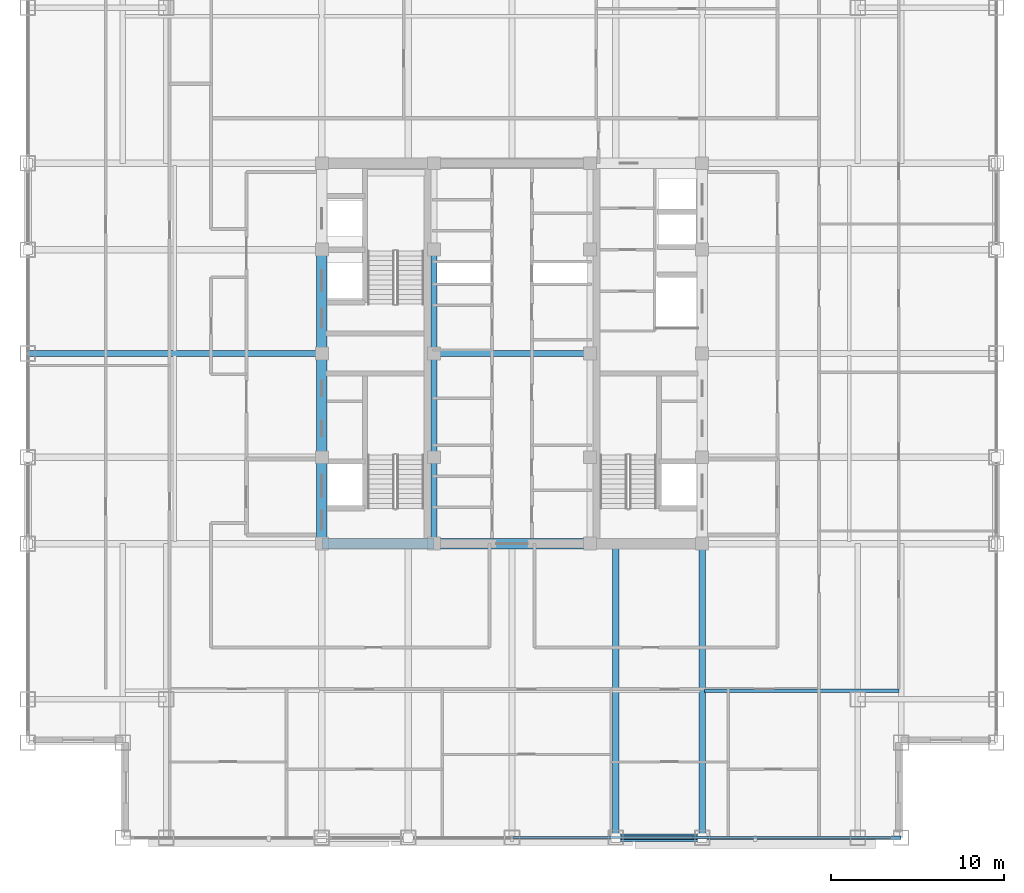
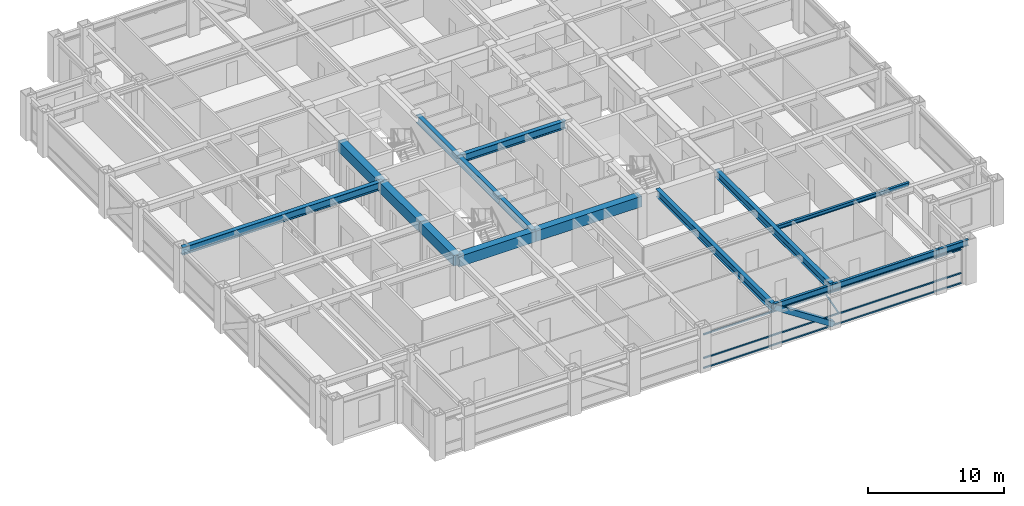
# One storey, part 7 of 27: 16 beams, 5 members, 1 element without a shape of its own.
"""IFC4 building model written with IfcOpenShell, lengths in metres."""

from ifc_helpers import new_model, si_unit, direction, frame, origin, origin_2d, place, context, subcontext, project, spatial, rectangle, hollow_rectangle, i_section, extrude, source, transform, mapped, material, material_profile, profile_set, type_object, element, aggregate, save


model = new_model("IFC4")

# Units and contexts
model_context = context("Model", 3, precision=1e-05, world=origin(), true_north=direction((0.0, 1.0)))
body_context = subcontext(model_context, "Body", "Model", "MODEL_VIEW")
ifc_project = project(units=[si_unit("LENGTHUNIT", "METRE"), si_unit("AREAUNIT", "SQUARE_METRE"), si_unit("VOLUMEUNIT", "CUBIC_METRE"), si_unit("PLANEANGLEUNIT", "RADIAN"), si_unit("MASSUNIT", "GRAM", prefix="KILO")], contexts=[model_context])

# Site, building, storey
site_placement = place(None, origin())
site = spatial("IfcSite", under=ifc_project, at=site_placement, CompositionType="ELEMENT")
building_placement = place(site_placement, origin())
building = spatial("IfcBuilding", under=site, at=building_placement, Name="Khorayat Bourse Tower", CompositionType="ELEMENT")
storey_placement = place(building_placement, frame((0.0, 0.0, 285.5)))
storey = spatial("IfcBuildingStorey", under=building, at=storey_placement, Name="L67", CompositionType="ELEMENT", Elevation=285.5)

# Beams
ifc_material_1 = material(Name="Steel ASTM A992 Grade 50", Category="steel")
ifc_material_profile_1 = material_profile(ifc_material_1, i_section(OverallWidth=0.35498046875, OverallDepth=0.695068359375, WebThickness=0.015380859375, FlangeThickness=0.02490234375, FilletRadius=0.01806640625, at=origin_2d()), Name="W690X217")
ifc_profile_set_1 = profile_set([ifc_material_profile_1], Name="Steel ASTM A992 Grade 50")
beam_type_1 = type_object("IfcBeamType", Name="BM-GIRD-690", PredefinedType="BEAM", material=ifc_profile_set_1)
shared_shape_1 = source(origin(), body_context, "Body", "SweptSolid", [
    extrude(i_section(OverallWidth=0.35498046875, OverallDepth=0.695068359375, WebThickness=0.015380859375, FlangeThickness=0.02490234375, FilletRadius=0.01806640625, at=origin_2d()), origin(), (0.0, 0.0, 1.0), 5.0),
])
beam_1_placement = place(storey_placement, frame((-4.5, -11.0, 3.4326171875), z_axis=(0.0, 1.0, 0.0), x_axis=(-1.0, 0.0, 0.0)))
element("IfcBeam", 1, at=beam_1_placement, inside=storey, type_object=beam_type_1, Name="L67 BM-GIRD-690 BM-L67-CRX-05", PredefinedType="BEAM", context=body_context, shape_type="MappedRepresentation", body=[
    mapped(shared_shape_1, transform((0.0, 0.0, 0.0), scale=1.0)),
])
shared_shape_2 = source(origin(), body_context, "Body", "SweptSolid", [
    extrude(i_section(OverallWidth=0.35498046875, OverallDepth=0.695068359375, WebThickness=0.015380859375, FlangeThickness=0.02490234375, FilletRadius=0.01806640625, at=origin_2d()), origin(), (0.0, 0.0, 1.0), 6.0),
])
for number, where, z_axis, x_axis, name in (
    (2, (-4.5, -6.0, 3.4326171875), (0.0, 1.0, 0.0), (-1.0, 0.0, 0.0), "L67 BM-GIRD-690 BM-L67-CRX-06"),
    (3, (-4.5, 0.0, 3.4326171875), (0.0, 1.0, 0.0), (-1.0, 0.0, 0.0), "L67 BM-GIRD-690 BM-L67-CRX-07"),
):
    element("IfcBeam", number, at=place(storey_placement, frame(where, z_axis=z_axis, x_axis=x_axis)), inside=storey, type_object=beam_type_1, Name=name, PredefinedType="BEAM", context=body_context, shape_type="MappedRepresentation", body=[
        mapped(shared_shape_2, transform((0.0, 0.0, 0.0), scale=1.0)),
    ])
shared_shape_3 = source(origin(), body_context, "Body", "SweptSolid", [
    extrude(i_section(OverallWidth=0.35498046875, OverallDepth=0.695068359375, WebThickness=0.015380859375, FlangeThickness=0.02490234375, FilletRadius=0.01806640625, at=origin_2d()), origin(), (0.0, 0.0, 1.0), 9.0),
])
beam_2_placement = place(storey_placement, frame((-4.5, 0.0, 3.4326171875), z_axis=(1.0, 0.0, 0.0), x_axis=(0.0, 1.0, 0.0)))
element("IfcBeam", 4, at=beam_2_placement, inside=storey, type_object=beam_type_1, Name="L67 BM-GIRD-690 BM-L67-CRY-23", PredefinedType="BEAM", context=body_context, shape_type="MappedRepresentation", body=[
    mapped(shared_shape_3, transform((0.0, 0.0, 0.0), scale=1.0)),
])
ifc_material_2 = material(Name="Concrete C60/75", Category="concrete")
ifc_material_profile_2 = material_profile(ifc_material_2, rectangle(XDim=0.60009765625, YDim=0.949951171875, at=origin_2d()), Name="RC 600x950")
ifc_profile_set_2 = profile_set([ifc_material_profile_2], Name="Concrete C60/75")
beam_type_2 = type_object("IfcBeamType", Name="BM-COUP-950", PredefinedType="BEAM", material=ifc_profile_set_2)
shared_shape_4 = source(origin(), body_context, "Body", "SweptSolid", [
    extrude(rectangle(XDim=0.60009765625, YDim=0.949951171875, at=origin_2d()), origin(), (0.0, 0.0, 1.0), 5.0),
])
beam_3_placement = place(storey_placement, frame((-11.0, -11.0, 3.304931640625), z_axis=(0.0, 1.0, 0.0), x_axis=(-1.0, 0.0, 0.0)))
element("IfcBeam", 5, at=beam_3_placement, inside=storey, type_object=beam_type_2, Name="L67 BM-COUP-950 BM-L67-CRX-01", PredefinedType="BEAM", context=body_context, shape_type="MappedRepresentation", body=[
    mapped(shared_shape_4, transform((0.0, 0.0, 0.0), scale=1.0)),
])
shared_shape_5 = source(origin(), body_context, "Body", "SweptSolid", [
    extrude(rectangle(XDim=0.60009765625, YDim=0.949951171875, at=origin_2d()), origin(), (0.0, 0.0, 1.0), 6.0),
])
for number, where, z_axis, x_axis, name in (
    (6, (-11.0, -6.0, 3.304931640625), (0.0, 1.0, 0.0), (-1.0, 0.0, 0.0), "L67 BM-COUP-950 BM-L67-CRX-02"),
    (7, (-11.0, 0.0, 3.304931640625), (0.0, 1.0, 0.0), (-1.0, 0.0, 0.0), "L67 BM-COUP-950 BM-L67-CRX-03"),
):
    element("IfcBeam", number, at=place(storey_placement, frame(where, z_axis=z_axis, x_axis=x_axis)), inside=storey, type_object=beam_type_2, Name=name, PredefinedType="BEAM", context=body_context, shape_type="MappedRepresentation", body=[
        mapped(shared_shape_5, transform((0.0, 0.0, 0.0), scale=1.0)),
    ])
shared_shape_6 = source(origin(), body_context, "Body", "SweptSolid", [
    extrude(rectangle(XDim=0.60009765625, YDim=0.949951171875, at=origin_2d()), origin(), (0.0, 0.0, 1.0), 6.5),
])
beam_4_placement = place(storey_placement, frame((-11.0, -11.0, 3.304931640625), z_axis=(1.0, 0.0, 0.0), x_axis=(0.0, 1.0, 0.0)))
element("IfcBeam", 8, at=beam_4_placement, inside=storey, type_object=beam_type_2, Name="L67 BM-COUP-950 BM-L67-CRY-17", PredefinedType="BEAM", context=body_context, shape_type="MappedRepresentation", body=[
    mapped(shared_shape_6, transform((0.0, 0.0, 0.0), scale=1.0)),
])
shared_shape_7 = source(origin(), body_context, "Body", "SweptSolid", [
    extrude(rectangle(XDim=0.60009765625, YDim=0.949951171875, at=origin_2d()), origin(), (0.0, 0.0, 1.0), 9.0),
])
beam_5_placement = place(storey_placement, frame((-4.5, -11.0, 3.304931640625), z_axis=(1.0, 0.0, 0.0), x_axis=(0.0, 1.0, 0.0)))
element("IfcBeam", 9, at=beam_5_placement, inside=storey, type_object=beam_type_2, Name="L67 BM-COUP-950 BM-L67-CRY-18", PredefinedType="BEAM", context=body_context, shape_type="MappedRepresentation", body=[
    mapped(shared_shape_7, transform((0.0, 0.0, 0.0), scale=1.0)),
])

# Member
ifc_material_3 = material(Name="Steel EN 10025-4 S460M", Category="steel")
ifc_material_profile_3 = material_profile(ifc_material_3, hollow_rectangle(XDim=0.449951171875, YDim=0.449951171875, WallThickness=0.02490234375, at=origin_2d()), Name="HSS 450x450x25")
ifc_profile_set_3 = profile_set([ifc_material_profile_3], Name="Steel EN 10025-4 S460M")
member_type_1 = type_object("IfcMemberType", Name="MBR-TUBE-450", PredefinedType="BRACE", material=ifc_profile_set_3)
shared_shape_8 = source(origin(), body_context, "Body", "SweptSolid", [
    extrude(hollow_rectangle(XDim=0.449951171875, YDim=0.449951171875, WallThickness=0.02490234375, at=origin_2d()), origin(), (0.0, 0.0, 1.0), 5.979736328125),
])
member_1_placement = place(storey_placement, frame((6.0, -28.0, 3.530029296875), z_axis=(0.836141536525, 0.0, -0.548513747227), x_axis=(0.0, 1.0, 0.0)))
element("IfcMember", 10, at=member_1_placement, inside=storey, type_object=member_type_1, Name="L67 Perimeter Tube Brace 02", PredefinedType="BRACE", context=body_context, shape_type="MappedRepresentation", body=[
    mapped(shared_shape_8, transform((0.0, 0.0, 0.0), scale=1.0)),
])

# Beams
shared_shape_9 = source(origin(), body_context, "Body", "SweptSolid", [
    extrude(i_section(OverallWidth=0.35498046875, OverallDepth=0.695068359375, WebThickness=0.015380859375, FlangeThickness=0.02490234375, FilletRadius=0.01806640625, at=origin_2d()), origin(), (0.0, 0.0, 1.0), 17.0),
])
for number, where, z_axis, x_axis, name in (
    (11, (6.0, -28.0, 3.4326171875), (0.0, 1.0, 0.0), (-1.0, 0.0, 0.0), "L67 BM-GIRD-690 BM-L67-RADY-071"),
    (12, (11.0, -28.0, 3.4326171875), (0.0, 1.0, 0.0), (-1.0, 0.0, 0.0), "L67 BM-GIRD-690 BM-L67-RADY-073"),
    (13, (-28.0, 0.0, 3.4326171875), (1.0, 0.0, 0.0), (0.0, 1.0, 0.0), "L67 BM-GIRD-690 BM-L67-RADX-079"),
):
    element("IfcBeam", number, at=place(storey_placement, frame(where, z_axis=z_axis, x_axis=x_axis)), inside=storey, type_object=beam_type_1, Name=name, PredefinedType="BEAM", context=body_context, shape_type="MappedRepresentation", body=[
        mapped(shared_shape_9, transform((0.0, 0.0, 0.0), scale=1.0)),
    ])
ifc_material_profile_4 = material_profile(ifc_material_1, i_section(OverallWidth=0.202880859375, OverallDepth=0.346923828125, WebThickness=0.0078125, FlangeThickness=0.013427734375, FilletRadius=0.010009765625, at=origin_2d()), Name="W360X64")
ifc_profile_set_4 = profile_set([ifc_material_profile_4], Name="Steel ASTM A992 Grade 50")
beam_type_3 = type_object("IfcBeamType", Name="BM-JOIST-360", PredefinedType="JOIST", material=ifc_profile_set_4)
shared_shape_10 = source(origin(), body_context, "Body", "SweptSolid", [
    extrude(i_section(OverallWidth=0.202880859375, OverallDepth=0.346923828125, WebThickness=0.0078125, FlangeThickness=0.013427734375, FilletRadius=0.010009765625, at=origin_2d()), origin(), (0.0, 0.0, 1.0), 11.240234375),
])
beam_6_placement = place(storey_placement, frame((11.1298828125, -19.5, 3.6064453125), z_axis=(1.0, 0.0, 0.0), x_axis=(0.0, 1.0, 0.0)))
element("IfcBeam", 14, at=beam_6_placement, inside=storey, type_object=beam_type_3, Name="L67 BM-JOIST-360 BM-L67-JSTX-098", PredefinedType="JOIST", context=body_context, shape_type="MappedRepresentation", body=[
    mapped(shared_shape_10, transform((0.0, 0.0, 0.0), scale=1.0)),
])
ifc_material_profile_5 = material_profile(ifc_material_1, i_section(OverallWidth=0.214111328125, OverallDepth=0.549072265625, WebThickness=0.0146484375, FlangeThickness=0.023681640625, FilletRadius=0.013916015625, at=origin_2d()), Name="W530X138")
ifc_profile_set_5 = profile_set([ifc_material_profile_5], Name="Steel ASTM A992 Grade 50")
beam_type_4 = type_object("IfcBeamType", Name="BM-SPAN-530", PredefinedType="SPANDREL", material=ifc_profile_set_5)
shared_shape_11 = source(origin(), body_context, "Body", "SweptSolid", [
    extrude(i_section(OverallWidth=0.214111328125, OverallDepth=0.549072265625, WebThickness=0.0146484375, FlangeThickness=0.023681640625, FilletRadius=0.013916015625, at=origin_2d()), origin(), (0.0, 0.0, 1.0), 2.5),
])
beam_7_placement = place(storey_placement, frame((20.0, -28.0, 3.505615234375), z_axis=(1.0, 0.0, 0.0), x_axis=(0.0, 1.0, 0.0)))
element("IfcBeam", 15, at=beam_7_placement, inside=storey, type_object=beam_type_4, Name="L67 BM-SPAN-530 BM-L67-SPN-031", PredefinedType="SPANDREL", context=body_context, shape_type="MappedRepresentation", body=[
    mapped(shared_shape_11, transform((0.0, 0.0, 0.0), scale=1.0)),
])
shared_shape_12 = source(origin(), body_context, "Body", "SweptSolid", [
    extrude(i_section(OverallWidth=0.214111328125, OverallDepth=0.549072265625, WebThickness=0.0146484375, FlangeThickness=0.023681640625, FilletRadius=0.013916015625, at=origin_2d()), origin(), (0.0, 0.0, 1.0), 9.0),
])
beam_8_placement = place(storey_placement, frame((11.0, -28.0, 3.505615234375), z_axis=(1.0, 0.0, 0.0), x_axis=(0.0, 1.0, 0.0)))
element("IfcBeam", 16, at=beam_8_placement, inside=storey, type_object=beam_type_4, Name="L67 BM-SPAN-530 BM-L67-SPN-030", PredefinedType="SPANDREL", context=body_context, shape_type="MappedRepresentation", body=[
    mapped(shared_shape_12, transform((0.0, 0.0, 0.0), scale=1.0)),
])
shared_shape_13 = source(origin(), body_context, "Body", "SweptSolid", [
    extrude(i_section(OverallWidth=0.214111328125, OverallDepth=0.549072265625, WebThickness=0.0146484375, FlangeThickness=0.023681640625, FilletRadius=0.013916015625, at=origin_2d()), origin(), (0.0, 0.0, 1.0), 5.0),
])
beam_9_placement = place(storey_placement, frame((6.0, -28.0, 3.505615234375), z_axis=(1.0, 0.0, 0.0), x_axis=(0.0, 1.0, 0.0)))
element("IfcBeam", 17, at=beam_9_placement, inside=storey, type_object=beam_type_4, Name="L67 BM-SPAN-530 BM-L67-SPN-029", PredefinedType="SPANDREL", context=body_context, shape_type="MappedRepresentation", body=[
    mapped(shared_shape_13, transform((0.0, 0.0, 0.0), scale=1.0)),
])

# Curtain wall, members
ifc_material_4 = material(Name="Aluminium EN AW-6063 T6", Category="aluminium")
curtain_wall_type = type_object("IfcCurtainWallType", Name="CW-SYS-04", PredefinedType="NOTDEFINED", material=ifc_material_4)
curtain_wall_placement = place(storey_placement, origin())
curtain_wall = element("IfcCurtainWall", 18, at=curtain_wall_placement, inside=storey, type_object=curtain_wall_type, Name="L67 Curtain Wall CW-L67-S1", PredefinedType="NOTDEFINED")
ifc_material_profile_6 = material_profile(ifc_material_4, hollow_rectangle(XDim=0.1201171875, YDim=0.1201171875, WallThickness=0.0048828125, at=origin_2d()), Name="ALU 120x120x5")
ifc_profile_set_6 = profile_set([ifc_material_profile_6], Name="Aluminium EN AW-6063 T6")
member_type_2 = type_object("IfcMemberType", Name="CWM-DIAG-120", PredefinedType="MULLION", material=ifc_profile_set_6)
shared_shape_14 = source(origin(), body_context, "Body", "SweptSolid", [
    extrude(hollow_rectangle(XDim=0.1201171875, YDim=0.1201171875, WallThickness=0.0048828125, at=origin_2d()), origin(), (0.0, 0.0, 1.0), 2.0791015625),
])
member_2_placement = place(storey_placement, frame((11.4541015625, -28.0, 1.090087890625), z_axis=(-0.465717394116, 0.0, 0.884933505309), x_axis=(0.0, -1.0, 0.0)))
member_2 = element("IfcMember", 19, at=member_2_placement, type_object=member_type_2, Name="CW-L67-S1 Faceted Diagonal Mullion 2", PredefinedType="MULLION", context=body_context, shape_type="MappedRepresentation", body=[
    mapped(shared_shape_14, transform((0.0, 0.0, 0.0), scale=1.0)),
])
ifc_material_profile_7 = material_profile(ifc_material_4, hollow_rectangle(XDim=0.1201171875, YDim=0.1201171875, WallThickness=0.0048828125, at=origin_2d()), Name="ALU 120x120x5")
ifc_profile_set_7 = profile_set([ifc_material_profile_7], Name="Aluminium EN AW-6063 T6")
member_type_3 = type_object("IfcMemberType", Name="CWT-HORZ-120", PredefinedType="USERDEFINED", material=ifc_profile_set_7)
shared_shape_15 = source(origin(), body_context, "Body", "SweptSolid", [
    extrude(hollow_rectangle(XDim=0.1201171875, YDim=0.1201171875, WallThickness=0.0048828125, at=origin_2d()), origin(), (0.0, 0.0, 1.0), 21.81982421875),
])
member_3_placement = place(storey_placement, frame((0.06005859375, -28.0, 0.06005859375), z_axis=(1.0, 0.0, 0.0), x_axis=(0.0, 1.0, 0.0)))
member_3 = element("IfcMember", 20, at=member_3_placement, type_object=member_type_3, Name="CW-L67-S1 Horizontal Transom 2-1", ObjectType="TRANSOM", PredefinedType="USERDEFINED", context=body_context, shape_type="MappedRepresentation", body=[
    mapped(shared_shape_15, transform((0.0, 0.0, 0.0), scale=1.0)),
])
member_4_placement = place(storey_placement, frame((0.06005859375, -28.0, 0.949951171875), z_axis=(1.0, 0.0, 0.0), x_axis=(0.0, 1.0, 0.0)))
member_4 = element("IfcMember", 21, at=member_4_placement, type_object=member_type_3, Name="CW-L67-S1 Horizontal Transom 2-2", ObjectType="TRANSOM", PredefinedType="USERDEFINED", context=body_context, shape_type="MappedRepresentation", body=[
    mapped(shared_shape_15, transform((0.0, 0.0, 0.0), scale=1.0)),
])
member_5_placement = place(storey_placement, frame((0.06005859375, -28.0, 3.070068359375), z_axis=(1.0, 0.0, 0.0), x_axis=(0.0, 1.0, 0.0)))
member_5 = element("IfcMember", 22, at=member_5_placement, type_object=member_type_3, Name="CW-L67-S1 Horizontal Transom 2-3", ObjectType="TRANSOM", PredefinedType="USERDEFINED", context=body_context, shape_type="MappedRepresentation", body=[
    mapped(shared_shape_15, transform((0.0, 0.0, 0.0), scale=1.0)),
])
aggregate(curtain_wall, [member_3, member_4, member_5, member_2])

save(model, "model.ifc")
